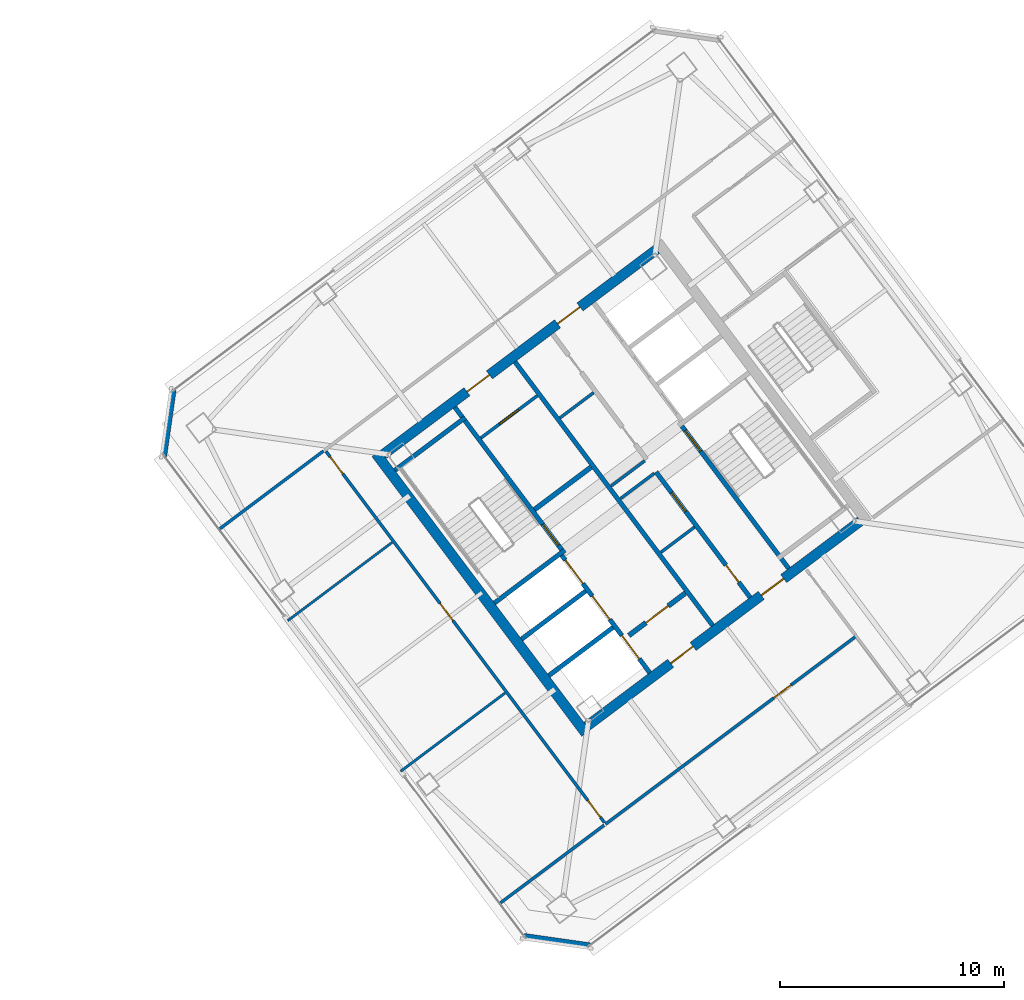
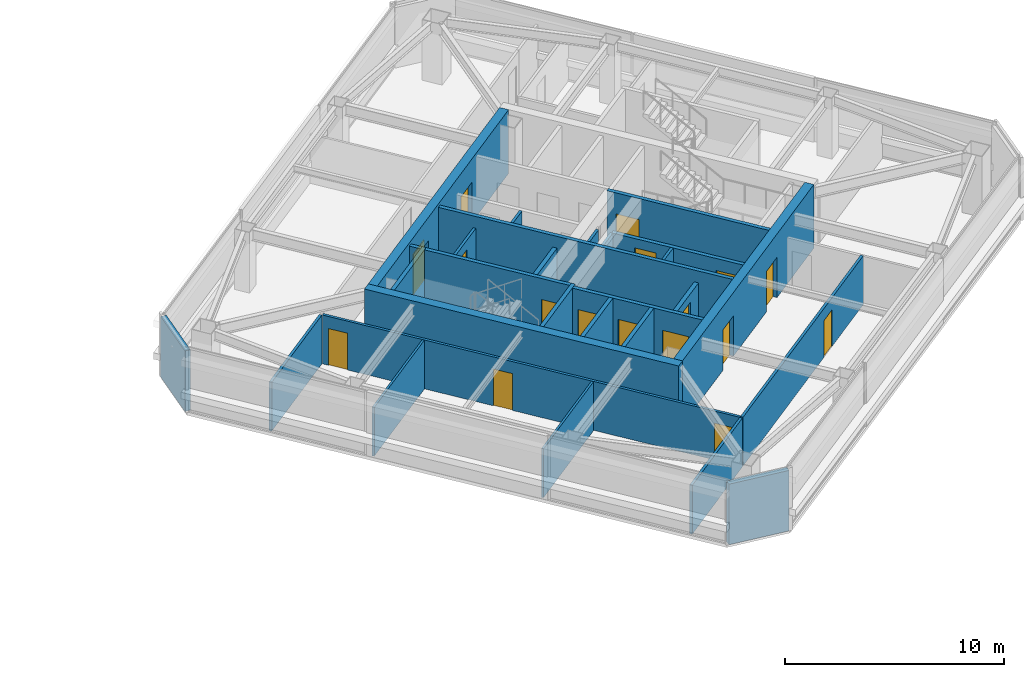
# One storey, part 31 of 39: 27 walls, 17 doors, 17 openings.
"""IFC4 building model written with IfcOpenShell, lengths in metres."""

import ifcopenshell
import ifcopenshell.guid

model = None  # the IFC model being written
_history = None  # IfcOwnerHistory: only IFC2X3 demands one
_inside = {}  # id of a spatial element -> (the spatial element, [elements in it])
_under = {}  # id of a project, library or spatial element -> (it, [spatial elements below it])
_declared = {}  # id of a project -> (the project, [libraries it declares])
_typed = {}  # id of a type object -> (the type object, [elements of that type])
_made_of = {}  # id of a material, layer set ... -> (it, [elements and type objects made of it])


def new_model(schema):
    """Start an empty IFC model of exactly this schema.

    Asked for "IFC4X3", IfcOpenShell would pick the latest addendum, in which some entities
    have other attributes; the version numbers below select the first issue.
    IFC2X3 requires an IfcOwnerHistory on every rooted entity: one is made here for all.
    """
    global model, _history
    if schema == "IFC4X3":
        model = ifcopenshell.file(schema_version=(4, 3, 0, 0))
    else:
        model = ifcopenshell.file(schema=schema)
    _inside.clear()
    _under.clear()
    _declared.clear()
    _typed.clear()
    _made_of.clear()
    _history = None
    if model.schema == "IFC2X3":
        org = make("IfcOrganization", Name="unknown")
        user = make(
            "IfcPersonAndOrganization",
            ThePerson=make("IfcPerson", FamilyName="unknown"),
            TheOrganization=org,
        )
        app = make(
            "IfcApplication",
            ApplicationDeveloper=org,
            Version="unknown",
            ApplicationFullName="unknown",
            ApplicationIdentifier="unknown",
        )
        _history = make(
            "IfcOwnerHistory",
            OwningUser=user,
            OwningApplication=app,
            ChangeAction="ADDED",
            CreationDate=0,
        )
    return model


def make(cls, **values):
    """One entity of the class cls with the attributes given. An attribute that is None is left unset."""
    return model.create_entity(
        cls, **{name: value for name, value in values.items() if value is not None}
    )


def rooted(cls, **values):
    """An entity with a GlobalId (a new one), such as an element, a storey or a relation."""
    return make(cls, GlobalId=ifcopenshell.guid.new(), OwnerHistory=_history, **values)


def si_unit(unit_type, name, prefix=None):
    """IfcSIUnit, for example si_unit("LENGTHUNIT", "METRE", prefix="MILLI")."""
    return make("IfcSIUnit", UnitType=unit_type, Prefix=prefix, Name=name)


def assignment(units):
    """IfcUnitAssignment: the units of a project."""
    return None if units is None else make("IfcUnitAssignment", Units=units)


def point(xyz):
    """IfcCartesianPoint."""
    return None if xyz is None else make("IfcCartesianPoint", Coordinates=xyz)


def direction(xyz):
    """IfcDirection."""
    return None if xyz is None else make("IfcDirection", DirectionRatios=xyz)


def frame(location, z_axis=None, x_axis=None):
    """IfcAxis2Placement3D, a coordinate frame: its origin and axes. An axis left out is left unset."""
    return make(
        "IfcAxis2Placement3D",
        Location=point(location),
        Axis=direction(z_axis),
        RefDirection=direction(x_axis),
    )


def frame_2d(location, x_axis=None):
    """IfcAxis2Placement2D, a coordinate frame in the plane: its origin and x axis."""
    return make(
        "IfcAxis2Placement2D", Location=point(location), RefDirection=direction(x_axis)
    )


def origin():
    """The frame at (0, 0, 0) with its axes left unset."""
    return frame((0.0, 0.0, 0.0))


def place(relative_to, where):
    """IfcLocalPlacement: puts the frame where relative to a parent placement (None: the world)."""
    return make(
        "IfcLocalPlacement", PlacementRelTo=relative_to, RelativePlacement=where
    )


def context(
    kind, dimensions, precision=None, world=None, true_north=None, identifier=None
):
    """IfcGeometricRepresentationContext, for example the 3D "Model" context."""
    return make(
        "IfcGeometricRepresentationContext",
        ContextIdentifier=identifier,
        ContextType=kind,
        CoordinateSpaceDimension=dimensions,
        Precision=precision,
        WorldCoordinateSystem=world,
        TrueNorth=true_north,
    )


def subcontext(parent, identifier, kind, view, scale=None):
    """IfcGeometricRepresentationSubContext, for example "Body" below "Model"."""
    return make(
        "IfcGeometricRepresentationSubContext",
        ContextIdentifier=identifier,
        ContextType=kind,
        ParentContext=parent,
        TargetScale=scale,
        TargetView=view,
    )


def project(units=None, contexts=None):
    """IfcProject with its units and contexts."""
    return rooted(
        "IfcProject",
        Name="project",
        RepresentationContexts=contexts,
        UnitsInContext=assignment(units),
    )


def spatial(cls, under=None, at=None, **own):
    """A site, building, storey or space (cls), placed at a placement, below another one or the project."""
    s = rooted(cls, ObjectPlacement=at, **own)
    if under is not None:
        _under.setdefault(under.id(), (under, []))[1].append(s)
    return s


def profile(cls, at=None, kind="AREA", **sizes):
    """A parametric profile (cls). Its sizes go by their IFC names, for example OverallWidth=200.0."""
    return make(cls, ProfileType=kind, Position=at, **sizes)


def rectangle(**sizes):
    """IfcRectangleProfileDef."""
    return profile("IfcRectangleProfileDef", **sizes)


def extrude(swept, where, along, depth):
    """IfcExtrudedAreaSolid: the profile swept, set in the frame where, extruded along a direction by depth."""
    return make(
        "IfcExtrudedAreaSolid",
        SweptArea=swept,
        Position=where,
        ExtrudedDirection=direction(along),
        Depth=depth,
    )


def shape(context_of_items, identifier, shape_type, items):
    """IfcShapeRepresentation: the items that make up one representation, for example the "Body"."""
    return make(
        "IfcShapeRepresentation",
        ContextOfItems=context_of_items,
        RepresentationIdentifier=identifier,
        RepresentationType=shape_type,
        Items=items,
    )


def material(Name=None, Category=None):
    """IfcMaterial."""
    return make("IfcMaterial", Name=Name, Category=Category)


def layer(
    of_material, thickness, ventilated=None, Name=None, Category=None, Priority=None
):
    """IfcMaterialLayer: one layer of a wall or slab, of a material (None: an air gap)."""
    return make(
        "IfcMaterialLayer",
        Material=of_material,
        LayerThickness=thickness,
        IsVentilated=ventilated,
        Name=Name,
        Category=Category,
        Priority=Priority,
    )


def layer_set(layers, Name=None):
    """IfcMaterialLayerSet."""
    return make("IfcMaterialLayerSet", MaterialLayers=layers, LayerSetName=Name)


def made_of(thing, what):
    """Note that an element or type object is made of a material, layer set ...; save() writes the relation."""
    if what is not None:
        _made_of.setdefault(what.id(), (what, []))[1].append(thing)
    return thing


def type_object(cls, material=None, **own):
    """A type object (cls), such as IfcWallType, which elements share."""
    return made_of(rooted(cls, **own), material)


def element(
    cls,
    number,
    at=None,
    inside=None,
    cuts=None,
    type_object=None,
    material=None,
    context=None,
    identifier="Body",
    shape_type=None,
    held_by="IfcProductDefinitionShape",
    body=None,
    shapes=None,
    **own,
):
    """One element of the class cls, such as IfcWall. Its Tag is "e" and its number.

    at: its placement. inside: the storey or other place that contains it. cuts: it is an
    opening in that element (IfcRelVoidsElement). A single representation is given by context,
    identifier, shape_type and body (its items); several are given by shapes. held_by: the class
    of the entity that holds the representations. save() writes the other relations.
    """
    e = rooted(cls, Tag="e%d" % number, ObjectPlacement=at, **own)
    if body is not None:
        shapes = [shape(context, identifier, shape_type, body)]
    if shapes is not None:
        e.Representation = make(held_by, Representations=shapes)
    if inside is not None:
        _inside.setdefault(inside.id(), (inside, []))[1].append(e)
    if cuts is not None:
        rooted(
            "IfcRelVoidsElement", RelatingBuildingElement=cuts, RelatedOpeningElement=e
        )
    if type_object is not None:
        _typed.setdefault(type_object.id(), (type_object, []))[1].append(e)
    return made_of(e, material)


def fill(opening, filler):
    """IfcRelFillsElement: the door or window that sits in an opening."""
    return rooted(
        "IfcRelFillsElement",
        RelatingOpeningElement=opening,
        RelatedBuildingElement=filler,
    )


def aggregate(whole, parts):
    """IfcRelAggregates: a whole, such as a stair, and the parts it consists of."""
    return rooted("IfcRelAggregates", RelatingObject=whole, RelatedObjects=parts)


def save(model, path):
    """Write the relations noted so far, then the file.

    IfcRelAggregates (storeys below a building ...), IfcRelContainedInSpatialStructure (elements
    in a storey), IfcRelDefinesByType, IfcRelAssociatesMaterial and IfcRelDeclares: one each for
    every whole, place, type object, material and project.
    """
    for whole, parts in _under.values():
        aggregate(whole, parts)
    for where, things in _inside.values():
        rooted(
            "IfcRelContainedInSpatialStructure",
            RelatedElements=things,
            RelatingStructure=where,
        )
    for kind, things in _typed.values():
        rooted("IfcRelDefinesByType", RelatedObjects=things, RelatingType=kind)
    for what, things in _made_of.values():
        rooted("IfcRelAssociatesMaterial", RelatedObjects=things, RelatingMaterial=what)
    for by, libraries in _declared.values():
        rooted("IfcRelDeclares", RelatingContext=by, RelatedDefinitions=libraries)
    model.write(path)


model = new_model("IFC4")

# Units and contexts
model_context = context("Model", 3, precision=1e-05, world=origin(), true_north=direction((0.0, 1.0)))
body_context = subcontext(model_context, "Body", "Model", "MODEL_VIEW")
ifc_project = project(units=[si_unit("LENGTHUNIT", "METRE"), si_unit("AREAUNIT", "SQUARE_METRE"), si_unit("VOLUMEUNIT", "CUBIC_METRE"), si_unit("PLANEANGLEUNIT", "RADIAN"), si_unit("MASSUNIT", "GRAM", prefix="KILO")], contexts=[model_context])

# Site, building, storey
site_placement = place(None, origin())
site = spatial("IfcSite", under=ifc_project, at=site_placement, CompositionType="ELEMENT")
building_placement = place(site_placement, origin())
building = spatial("IfcBuilding", under=site, at=building_placement, Name="Tashvorn Skyway Center", CompositionType="ELEMENT")
storey_placement = place(building_placement, frame((0.0, 0.0, 207.75)))
storey = spatial("IfcBuildingStorey", under=building, at=storey_placement, Name="L56", CompositionType="ELEMENT", Elevation=207.75)

# Wall
ifc_material_1 = material(Name="Concrete C50/60", Category="concrete")
ifc_layer_1 = layer(ifc_material_1, 0.449951171875)
ifc_layer_set_1 = layer_set([ifc_layer_1], Name="Concrete C50/60")
wall_type_1 = type_object("IfcWallType", Name="WALL-CORE-450", PredefinedType="SHEAR", material=ifc_layer_set_1)
wall_1_placement = place(storey_placement, frame((112.39599609375, 21.047119140625, 0.0), z_axis=(0.0, 0.0, 1.0), x_axis=(-0.600005007985, 0.799996243986, 0.0)))
element("IfcWall", 1, at=wall_1_placement, inside=storey, type_object=wall_type_1, Name="Tower 2 L56 West Core Shear Wall", PredefinedType="SHEAR", context=body_context, shape_type="SweptSolid", body=[
    extrude(rectangle(XDim=15.60009765625, YDim=0.449951171875, at=frame_2d((7.800048828125, 0.0))), origin(), (0.0, 0.0, 1.0), 3.550048828125),
])

# Wall, openings, doors
wall_2_placement = place(storey_placement, frame((124.64892578125, 30.51806640625, 0.0), z_axis=(0.0, 0.0, 1.0), x_axis=(-0.8, -0.6, 0.0)))
wall_2 = element("IfcWall", 2, at=wall_2_placement, inside=storey, type_object=wall_type_1, Name="Tower 2 L56 South Core Shear Wall", PredefinedType="SHEAR", context=body_context, shape_type="SweptSolid", body=[
    extrude(rectangle(XDim=15.260009765625, YDim=0.449951171875, at=frame_2d((7.6298828125, 0.0))), origin(), (0.0, 0.0, 1.0), 3.550048828125),
])
opening_1_placement = place(wall_2_placement, frame((9.330078125, 0.0, 0.0)))
opening_1 = element("IfcOpeningElement", 3, at=opening_1_placement, cuts=wall_2, Name="Opening D-FFL-1250", PredefinedType="OPENING", context=body_context, shape_type="SweptSolid", body=[
    extrude(rectangle(XDim=1.25, YDim=2.25, at=frame_2d((0.625, 1.125))), frame((0.0, 0.23486328125, 0.0), z_axis=(0.0, -1.0, 0.0), x_axis=(1.0, 0.0, 0.0)), (0.0, 0.0, 1.0), 0.469970703125),
])
opening_2_placement = place(wall_2_placement, frame((4.280029296875, 0.0, 0.0)))
opening_2 = element("IfcOpeningElement", 4, at=opening_2_placement, cuts=wall_2, Name="Opening D-FFL-1250", PredefinedType="OPENING", context=body_context, shape_type="SweptSolid", body=[
    extrude(rectangle(XDim=1.25, YDim=2.25, at=frame_2d((0.625, 1.125))), frame((0.0, 0.23486328125, 0.0), z_axis=(0.0, -1.0, 0.0), x_axis=(1.0, 0.0, 0.0)), (0.0, 0.0, 1.0), 0.469970703125),
])
ifc_material_2 = material(Name="Hollow galvanized steel fire door assembly", Category="steel")
door_type_1 = type_object("IfcDoorType", Name="DOOR-FFL-1250", OperationType="NOTDEFINED", PredefinedType="DOOR", material=ifc_material_2)
door_1_placement = place(opening_1_placement, origin())
door_1 = element("IfcDoor", 5, at=door_1_placement, inside=storey, type_object=door_type_1, Name="Tower 2 L56 Core South Firefighting Exit Door", OperationType="SINGLE_SWING_LEFT", OverallHeight=2.25, OverallWidth=1.25, PredefinedType="DOOR", context=body_context, shape_type="SweptSolid", body=[
    extrude(rectangle(XDim=1.25, YDim=2.25, at=frame_2d((0.625, 1.125))), frame((0.0, 0.02490234375, 0.0), z_axis=(0.0, -1.0, 0.0), x_axis=(1.0, 0.0, 0.0)), (0.0, 0.0, 1.0), 0.050048828125),
])
fill(opening_1, door_1)
door_2_placement = place(opening_2_placement, origin())
door_2 = element("IfcDoor", 6, at=door_2_placement, inside=storey, type_object=door_type_1, Name="Tower 2 L56 Core South Lift Lobby Door", OperationType="SINGLE_SWING_RIGHT", OverallHeight=2.25, OverallWidth=1.25, PredefinedType="DOOR", context=body_context, shape_type="SweptSolid", body=[
    extrude(rectangle(XDim=1.25, YDim=2.25, at=frame_2d((0.625, 1.125))), frame((0.0, 0.02490234375, 0.0), z_axis=(0.0, -1.0, 0.0), x_axis=(1.0, 0.0, 0.0)), (0.0, 0.0, 1.0), 0.050048828125),
])
fill(opening_2, door_2)

wall_3_placement = place(storey_placement, frame((103.35107421875, 33.48193359375, 0.0), z_axis=(0.0, 0.0, 1.0), x_axis=(0.8, 0.6, 0.0)))
wall_3 = element("IfcWall", 7, at=wall_3_placement, inside=storey, type_object=wall_type_1, Name="Tower 2 L56 North Core Shear Wall", PredefinedType="SHEAR", context=body_context, shape_type="SweptSolid", body=[
    extrude(rectangle(XDim=15.260009765625, YDim=0.449951171875, at=frame_2d((7.6298828125, 0.0))), origin(), (0.0, 0.0, 1.0), 3.550048828125),
])
opening_3_placement = place(wall_3_placement, frame((4.679931640625, 0.0, 0.0)))
opening_3 = element("IfcOpeningElement", 8, at=opening_3_placement, cuts=wall_3, Name="Opening D-FFL-1250", PredefinedType="OPENING", context=body_context, shape_type="SweptSolid", body=[
    extrude(rectangle(XDim=1.25, YDim=2.25, at=frame_2d((0.625, 1.125))), frame((0.0, 0.23486328125, 0.0), z_axis=(0.0, -1.0, 0.0), x_axis=(1.0, 0.0, 0.0)), (0.0, 0.0, 1.0), 0.469970703125),
])
opening_4_placement = place(wall_3_placement, frame((9.72998046875, 0.0, 0.0)))
opening_4 = element("IfcOpeningElement", 9, at=opening_4_placement, cuts=wall_3, Name="Opening D-FFL-1250", PredefinedType="OPENING", context=body_context, shape_type="SweptSolid", body=[
    extrude(rectangle(XDim=1.25, YDim=2.25, at=frame_2d((0.625, 1.125))), frame((0.0, 0.23486328125, 0.0), z_axis=(0.0, -1.0, 0.0), x_axis=(1.0, 0.0, 0.0)), (0.0, 0.0, 1.0), 0.469970703125),
])
door_3_placement = place(opening_3_placement, origin())
door_3 = element("IfcDoor", 10, at=door_3_placement, inside=storey, type_object=door_type_1, Name="Tower 2 L56 Core North Service Lobby Door", OperationType="SINGLE_SWING_LEFT", OverallHeight=2.25, OverallWidth=1.25, PredefinedType="DOOR", context=body_context, shape_type="SweptSolid", body=[
    extrude(rectangle(XDim=1.25, YDim=2.25, at=frame_2d((0.625, 1.125))), frame((0.0, 0.02490234375, 0.0), z_axis=(0.0, -1.0, 0.0), x_axis=(1.0, 0.0, 0.0)), (0.0, 0.0, 1.0), 0.050048828125),
])
fill(opening_3, door_3)
door_4_placement = place(opening_4_placement, origin())
door_4 = element("IfcDoor", 11, at=door_4_placement, inside=storey, type_object=door_type_1, Name="Tower 2 L56 Core North Lift Lobby Door", OperationType="SINGLE_SWING_RIGHT", OverallHeight=2.25, OverallWidth=1.25, PredefinedType="DOOR", context=body_context, shape_type="SweptSolid", body=[
    extrude(rectangle(XDim=1.25, YDim=2.25, at=frame_2d((0.625, 1.125))), frame((0.0, 0.02490234375, 0.0), z_axis=(0.0, -1.0, 0.0), x_axis=(1.0, 0.0, 0.0)), (0.0, 0.0, 1.0), 0.050048828125),
])
fill(opening_4, door_4)

# Walls
ifc_material_3 = material(Name="Precast concrete C40/50", Category="concrete")
ifc_layer_2 = layer(ifc_material_3, 0.280029296875)
ifc_layer_set_2 = layer_set([ifc_layer_2], Name="Precast concrete C40/50")
wall_type_2 = type_object("IfcWallType", Name="WALL-EXT-280", PredefinedType="SOLIDWALL", material=ifc_layer_set_2)
for number, where, z_axis, x_axis, name in (
    (12, (112.580078125, 11.56005859375, 0.0), (0.0, 0.0, 1.0), (-0.989954425158, 0.14138683146, 0.0), "Tower 2 L56 SW Precast Chamfer Wall"),
    (13, (93.56005859375, 33.419921875, 0.0), (0.0, 0.0, 1.0), (0.14138683146, 0.989954425158, 0.0), "Tower 2 L56 NW Precast Chamfer Wall"),
):
    element("IfcWall", number, at=place(storey_placement, frame(where, z_axis=z_axis, x_axis=x_axis)), inside=storey, type_object=wall_type_2, Name=name, PredefinedType="SOLIDWALL", context=body_context, shape_type="SweptSolid", body=[
        extrude(rectangle(XDim=2.969970703125, YDim=0.280029296875, at=frame_2d((1.48486328125, 0.0))), origin(), (0.0, 0.0, 1.0), 3.3701171875),
    ])
ifc_material_4 = material(Name="Concrete C40/50", Category="concrete")
ifc_layer_3 = layer(ifc_material_4, 0.219970703125)
ifc_layer_set_3 = layer_set([ifc_layer_3], Name="Concrete C40/50")
wall_type_3 = type_object("IfcWallType", Name="WALL-FFL-220", PredefinedType="SOLIDWALL", material=ifc_layer_set_3)
wall_4_placement = place(storey_placement, frame((110.10400390625, 31.028076171875, 0.0), z_axis=(0.0, 0.0, 1.0), x_axis=(0.800018601094, 0.59997519774, 0.0)))
element("IfcWall", 14, at=wall_4_placement, inside=storey, type_object=wall_type_3, Name="Tower 2 L56 Firefighting Lobby North Wall", PredefinedType="SOLIDWALL", context=body_context, shape_type="SweptSolid", body=[
    extrude(rectangle(XDim=3.14990234375, YDim=0.219970703125, at=frame_2d((1.574951171875, 0.0))), origin(), (0.0, 0.0, 1.0), 2.722900390625),
])

# Wall, opening, door
wall_5_placement = place(storey_placement, frame((114.31591796875, 25.412109375, 0.0), z_axis=(0.0, 0.0, 1.0), x_axis=(0.800018601094, 0.59997519774, 0.0)))
wall_5 = element("IfcWall", 15, at=wall_5_placement, inside=storey, type_object=wall_type_3, Name="Tower 2 L56 Firefighting Lobby South Wall", PredefinedType="SOLIDWALL", context=body_context, shape_type="SweptSolid", body=[
    extrude(rectangle(XDim=3.14990234375, YDim=0.219970703125, at=frame_2d((1.574951171875, 0.0))), origin(), (0.0, 0.0, 1.0), 2.722900390625),
])
opening_5_placement = place(wall_5_placement, frame((0.949951171875, 0.0, 0.0)))
opening_5 = element("IfcOpeningElement", 16, at=opening_5_placement, cuts=wall_5, Name="Opening D-FFL-1250", PredefinedType="OPENING", context=body_context, shape_type="SweptSolid", body=[
    extrude(rectangle(XDim=1.25, YDim=2.25, at=frame_2d((0.625, 1.125))), frame((0.0, 0.119873046875, 0.0), z_axis=(0.0, -1.0, 0.0), x_axis=(1.0, 0.0, 0.0)), (0.0, 0.0, 1.0), 0.239990234375),
])
door_5_placement = place(opening_5_placement, origin())
door_5 = element("IfcDoor", 17, at=door_5_placement, inside=storey, type_object=door_type_1, Name="Tower 2 L56 Firefighting Lobby Egress Door", OperationType="SINGLE_SWING_LEFT", OverallHeight=2.25, OverallWidth=1.25, PredefinedType="DOOR", context=body_context, shape_type="SweptSolid", body=[
    extrude(rectangle(XDim=1.25, YDim=2.25, at=frame_2d((0.625, 1.125))), frame((0.0, 0.02490234375, 0.0), z_axis=(0.0, -1.0, 0.0), x_axis=(1.0, 0.0, 0.0)), (0.0, 0.0, 1.0), 0.050048828125),
])
fill(opening_5, door_5)

# Walls
ifc_material_5 = material(Name="Gypsum board on cold-formed steel stud framing", Category="steel")
ifc_layer_4 = layer(ifc_material_5, 0.110107421875)
ifc_layer_set_4 = layer_set([ifc_layer_4], Name="Gypsum board on cold-formed steel stud framing")
wall_type_4 = type_object("IfcWallType", Name="WALL-PART-110", PredefinedType="PARTITIONING", material=ifc_layer_set_4)
for number, where, z_axis, x_axis, name in (
    (18, (104.135986328125, 19.35205078125, 0.0), (0.0, 0.0, 1.0), (0.800005033825, 0.599993288175, 0.0), "Tower 2 L56 West Suite Partition 1"),
    (19, (99.095947265625, 26.072021484375, 0.0), (0.0, 0.0, 1.0), (0.800005033825, 0.599993288175, 0.0), "Tower 2 L56 West Suite Partition 2"),
):
    element("IfcWall", number, at=place(storey_placement, frame(where, z_axis=z_axis, x_axis=x_axis)), inside=storey, type_object=wall_type_4, Name=name, PredefinedType="PARTITIONING", context=body_context, shape_type="SweptSolid", body=[
        extrude(rectangle(XDim=5.820068359375, YDim=0.110107421875, at=frame_2d((2.91015625, 0.0))), origin(), (0.0, 0.0, 1.0), 2.722900390625),
    ])

# Wall, opening, door
ifc_layer_5 = layer(ifc_material_5, 0.135009765625)
ifc_layer_set_5 = layer_set([ifc_layer_5], Name="Gypsum board on cold-formed steel stud framing")
wall_type_5 = type_object("IfcWallType", Name="WALL-PART-135", PredefinedType="PARTITIONING", material=ifc_layer_set_5)
wall_6_placement = place(storey_placement, frame((124.4619140625, 25.384033203125, 0.0), z_axis=(0.0, 0.0, 1.0), x_axis=(-0.799997904343, -0.6000027942, 0.0)))
wall_6 = element("IfcWall", 20, at=wall_6_placement, inside=storey, type_object=wall_type_5, Name="Tower 2 L56 South Suite Wall", PredefinedType="PARTITIONING", context=body_context, shape_type="SweptSolid", body=[
    extrude(rectangle(XDim=13.979736328125, YDim=0.135009765625, at=frame_2d((6.98974609375, 0.0))), origin(), (0.0, 0.0, 1.0), 2.722900390625),
])
opening_6_placement = place(wall_6_placement, frame((3.63525390625, 0.0, 0.0)))
opening_6 = element("IfcOpeningElement", 21, at=opening_6_placement, cuts=wall_6, Name="Opening D-INT-950", PredefinedType="OPENING", context=body_context, shape_type="SweptSolid", body=[
    extrude(rectangle(XDim=0.949951171875, YDim=2.050048828125, at=frame_2d((0.47509765625, 1.02490234375))), frame((0.0, 0.077392578125, 0.0), z_axis=(0.0, -1.0, 0.0), x_axis=(1.0, 0.0, 0.0)), (0.0, 0.0, 1.0), 0.155029296875),
])
ifc_material_6 = material(Name="Solid-core architectural oak veneer door")
door_type_2 = type_object("IfcDoorType", Name="DOOR-INT-950", OperationType="NOTDEFINED", PredefinedType="DOOR", material=ifc_material_6)
door_6_placement = place(opening_6_placement, origin())
door_6 = element("IfcDoor", 22, at=door_6_placement, inside=storey, type_object=door_type_2, Name="Tower 2 L56 Wellness Clinic Door", OperationType="SINGLE_SWING_RIGHT", OverallHeight=2.050048828125, OverallWidth=0.949951171875, PredefinedType="DOOR", context=body_context, shape_type="SweptSolid", body=[
    extrude(rectangle(XDim=0.949951171875, YDim=2.050048828125, at=frame_2d((0.47509765625, 1.02490234375))), frame((0.0, 0.02490234375, 0.0), z_axis=(0.0, -1.0, 0.0), x_axis=(1.0, 0.0, 0.0)), (0.0, 0.0, 1.0), 0.050048828125),
])
fill(opening_6, door_6)

# Wall, openings, doors
wall_7_placement = place(storey_placement, frame((113.22998046875, 17.06005859375, 0.0), z_axis=(0.0, 0.0, 1.0), x_axis=(-0.600003772342, 0.79999717073, 0.0)))
wall_7 = element("IfcWall", 23, at=wall_7_placement, inside=storey, type_object=wall_type_5, Name="Tower 2 L56 West Inner Suite Wall", PredefinedType="PARTITIONING", context=body_context, shape_type="SweptSolid", body=[
    extrude(rectangle(XDim=20.7099609375, YDim=0.135009765625, at=frame_2d((10.35498046875, 0.0))), origin(), (0.0, 0.0, 1.0), 2.722900390625),
])
opening_7_placement = place(wall_7_placement, frame((0.300048828125, 0.0, 0.0)))
opening_7 = element("IfcOpeningElement", 24, at=opening_7_placement, cuts=wall_7, Name="Opening D-INT-950", PredefinedType="OPENING", context=body_context, shape_type="SweptSolid", body=[
    extrude(rectangle(XDim=0.949951171875, YDim=2.050048828125, at=frame_2d((0.47509765625, 1.02490234375))), frame((0.0, 0.077392578125, 0.0), z_axis=(0.0, -1.0, 0.0), x_axis=(1.0, 0.0, 0.0)), (0.0, 0.0, 1.0), 0.155029296875),
])
opening_8_placement = place(wall_7_placement, frame((11.272216796875, 0.0, 0.0)))
opening_8 = element("IfcOpeningElement", 25, at=opening_8_placement, cuts=wall_7, Name="Opening D-INT-950", PredefinedType="OPENING", context=body_context, shape_type="SweptSolid", body=[
    extrude(rectangle(XDim=0.949951171875, YDim=2.050048828125, at=frame_2d((0.47509765625, 1.02490234375))), frame((0.0, 0.077392578125, 0.0), z_axis=(0.0, -1.0, 0.0), x_axis=(1.0, 0.0, 0.0)), (0.0, 0.0, 1.0), 0.155029296875),
])
opening_9_placement = place(wall_7_placement, frame((19.4599609375, 0.0, 0.0)))
opening_9 = element("IfcOpeningElement", 26, at=opening_9_placement, cuts=wall_7, Name="Opening D-INT-950", PredefinedType="OPENING", context=body_context, shape_type="SweptSolid", body=[
    extrude(rectangle(XDim=0.949951171875, YDim=2.050048828125, at=frame_2d((0.47509765625, 1.02490234375))), frame((0.0, 0.077392578125, 0.0), z_axis=(0.0, -1.0, 0.0), x_axis=(1.0, 0.0, 0.0)), (0.0, 0.0, 1.0), 0.155029296875),
])
door_7_placement = place(opening_7_placement, origin())
door_7 = element("IfcDoor", 27, at=door_7_placement, inside=storey, type_object=door_type_2, Name="Tower 2 L56 Public Restroom Door", OperationType="SINGLE_SWING_RIGHT", OverallHeight=2.050048828125, OverallWidth=0.949951171875, PredefinedType="DOOR", context=body_context, shape_type="SweptSolid", body=[
    extrude(rectangle(XDim=0.949951171875, YDim=2.050048828125, at=frame_2d((0.47509765625, 1.02490234375))), frame((0.0, 0.02490234375, 0.0), z_axis=(0.0, -1.0, 0.0), x_axis=(1.0, 0.0, 0.0)), (0.0, 0.0, 1.0), 0.050048828125),
])
fill(opening_7, door_7)
door_8_placement = place(opening_8_placement, origin())
door_8 = element("IfcDoor", 28, at=door_8_placement, inside=storey, type_object=door_type_2, Name="Tower 2 L56 Wellness Clinic Door", OperationType="SINGLE_SWING_LEFT", OverallHeight=2.050048828125, OverallWidth=0.949951171875, PredefinedType="DOOR", context=body_context, shape_type="SweptSolid", body=[
    extrude(rectangle(XDim=0.949951171875, YDim=2.050048828125, at=frame_2d((0.47509765625, 1.02490234375))), frame((0.0, 0.02490234375, 0.0), z_axis=(0.0, -1.0, 0.0), x_axis=(1.0, 0.0, 0.0)), (0.0, 0.0, 1.0), 0.050048828125),
])
fill(opening_8, door_8)
door_9_placement = place(opening_9_placement, origin())
door_9 = element("IfcDoor", 29, at=door_9_placement, inside=storey, type_object=door_type_2, Name="Tower 2 L56 Collaborative Studio Door", OperationType="SINGLE_SWING_RIGHT", OverallHeight=2.050048828125, OverallWidth=0.949951171875, PredefinedType="DOOR", context=body_context, shape_type="SweptSolid", body=[
    extrude(rectangle(XDim=0.949951171875, YDim=2.050048828125, at=frame_2d((0.47509765625, 1.02490234375))), frame((0.0, 0.02490234375, 0.0), z_axis=(0.0, -1.0, 0.0), x_axis=(1.0, 0.0, 0.0)), (0.0, 0.0, 1.0), 0.050048828125),
])
fill(opening_9, door_9)

# Walls
for number, where, z_axis, x_axis, name in (
    (30, (100.69189453125, 33.64404296875, 0.0), (0.0, 0.0, 1.0), (-0.800005033825, -0.599993288175, 0.0), "Tower 2 L56 West Suite North Wall"),
    (31, (108.55810546875, 13.4560546875, 0.0), (0.0, 0.0, 1.0), (0.800005033825, 0.599993288175, 0.0), "Tower 2 L56 West Suite South Wall"),
):
    element("IfcWall", number, at=place(storey_placement, frame(where, z_axis=z_axis, x_axis=x_axis)), inside=storey, type_object=wall_type_5, Name=name, PredefinedType="PARTITIONING", context=body_context, shape_type="SweptSolid", body=[
        extrude(rectangle(XDim=5.820068359375, YDim=0.135009765625, at=frame_2d((2.91015625, 0.0))), origin(), (0.0, 0.0, 1.0), 2.722900390625),
    ])

# Wall, opening, door
ifc_layer_6 = layer(ifc_material_5, 0.135009765625)
ifc_layer_set_6 = layer_set([ifc_layer_6], Name="Gypsum board on cold-formed steel stud framing")
wall_type_6 = type_object("IfcWallType", Name="WALL-RATED-135", PredefinedType="PARTITIONING", material=ifc_layer_set_6)
wall_8_placement = place(storey_placement, frame((107.7099609375, 34.219970703125, 0.0), z_axis=(0.0, 0.0, 1.0), x_axis=(0.799981399002, 0.60002480053, 0.0)))
wall_8 = element("IfcWall", 32, at=wall_8_placement, inside=storey, type_object=wall_type_6, Name="Tower 2 L56 Core Service Lobby Wall", PredefinedType="PARTITIONING", context=body_context, shape_type="SweptSolid", body=[
    extrude(rectangle(XDim=3.150146484375, YDim=0.135009765625, at=frame_2d((1.5751953125, 0.0))), origin(), (0.0, 0.0, 1.0), 2.722900390625),
])
opening_10_placement = place(wall_8_placement, frame((1.050048828125, 0.0, 0.0)))
opening_10 = element("IfcOpeningElement", 33, at=opening_10_placement, cuts=wall_8, Name="Opening D-RT-1050", PredefinedType="OPENING", context=body_context, shape_type="SweptSolid", body=[
    extrude(rectangle(XDim=1.050048828125, YDim=2.199951171875, at=frame_2d((0.52490234375, 1.10009765625))), frame((0.0, 0.077392578125, 0.0), z_axis=(0.0, -1.0, 0.0), x_axis=(1.0, 0.0, 0.0)), (0.0, 0.0, 1.0), 0.155029296875),
])
door_type_3 = type_object("IfcDoorType", Name="DOOR-RATED-1050", OperationType="NOTDEFINED", PredefinedType="DOOR", material=ifc_material_2)
door_10_placement = place(opening_10_placement, origin())
door_10 = element("IfcDoor", 34, at=door_10_placement, inside=storey, type_object=door_type_3, Name="Tower 2 L56 Core Accessible WC Door", OperationType="SINGLE_SWING_LEFT", OverallHeight=2.199951171875, OverallWidth=1.050048828125, PredefinedType="DOOR", context=body_context, shape_type="SweptSolid", body=[
    extrude(rectangle(XDim=1.050048828125, YDim=2.199951171875, at=frame_2d((0.52490234375, 1.10009765625))), frame((0.0, 0.02490234375, 0.0), z_axis=(0.0, -1.0, 0.0), x_axis=(1.0, 0.0, 0.0)), (0.0, 0.0, 1.0), 0.050048828125),
])
fill(opening_10, door_10)

# Walls
for number, where, z_axis, x_axis, name in (
    (35, (113.946044921875, 31.52197265625, 0.0), (0.0, 0.0, 1.0), (0.8, 0.6, 0.0), "Tower 2 L56 Core Room Partition"),
    (36, (115.74609375, 29.1220703125, 0.0), (0.0, 0.0, 1.0), (0.8, 0.6, 0.0), "Tower 2 L56 Freed Core Partition"),
):
    element("IfcWall", number, at=place(storey_placement, frame(where, z_axis=z_axis, x_axis=x_axis)), inside=storey, type_object=wall_type_6, Name=name, PredefinedType="PARTITIONING", context=body_context, shape_type="SweptSolid", body=[
        extrude(rectangle(XDim=1.8798828125, YDim=0.135009765625, at=frame_2d((0.93994140625, 0.0))), origin(), (0.0, 0.0, 1.0), 2.722900390625),
    ])
wall_9_placement = place(storey_placement, frame((113.52587890625, 32.08203125, 0.0), z_axis=(0.0, 0.0, 1.0), x_axis=(0.800046745961, 0.599937666993, 0.0)))
element("IfcWall", 37, at=wall_9_placement, inside=storey, type_object=wall_type_6, Name="Tower 2 L56 Core Room Partition", PredefinedType="PARTITIONING", context=body_context, shape_type="SweptSolid", body=[
    extrude(rectangle(XDim=1.880126953125, YDim=0.135009765625, at=frame_2d((0.93994140625, 0.0))), origin(), (0.0, 0.0, 1.0), 2.722900390625),
])
wall_10_placement = place(storey_placement, frame((111.24609375, 35.1220703125, 0.0), z_axis=(0.0, 0.0, 1.0), x_axis=(0.8, 0.6, 0.0)))
element("IfcWall", 38, at=wall_10_placement, inside=storey, type_object=wall_type_6, Name="Tower 2 L56 Freed Mid-Rise Partition", PredefinedType="PARTITIONING", context=body_context, shape_type="SweptSolid", body=[
    extrude(rectangle(XDim=1.8798828125, YDim=0.135009765625, at=frame_2d((0.93994140625, 0.0))), origin(), (0.0, 0.0, 1.0), 2.722900390625),
])
ifc_layer_7 = layer(ifc_material_4, 0.199951171875)
ifc_layer_set_7 = layer_set([ifc_layer_7], Name="Concrete C40/50")
wall_type_7 = type_object("IfcWallType", Name="WALL-SHAFT-200", PredefinedType="SOLIDWALL", material=ifc_layer_set_7)
for number, where, z_axis, x_axis, name in (
    (39, (110.74609375, 23.6220703125, 0.0), (0.0, 0.0, 1.0), (0.800008183455, 0.599989088572, 0.0), "Tower 2 L56 FSAE Shaft Divider"),
    (40, (109.528076171875, 25.24609375, 0.0), (0.0, 0.0, 1.0), (0.800008183455, 0.599989088572, 0.0), "Tower 2 L56 FSAE Shaft Divider"),
):
    element("IfcWall", number, at=place(storey_placement, frame(where, z_axis=z_axis, x_axis=x_axis)), inside=storey, type_object=wall_type_7, Name=name, PredefinedType="SOLIDWALL", context=body_context, shape_type="SweptSolid", body=[
        extrude(rectangle(XDim=3.580078125, YDim=0.199951171875, at=frame_2d((1.7900390625, 0.0))), origin(), (0.0, 0.0, 1.0), 3.3701171875),
    ])

# Wall, openings, doors
wall_11_placement = place(storey_placement, frame((119.72998046875, 27.110107421875, 0.0), z_axis=(0.0, 0.0, 1.0), x_axis=(-0.600005580459, 0.799995814625, 0.0)))
wall_11 = element("IfcWall", 41, at=wall_11_placement, inside=storey, type_object=wall_type_7, Name="Tower 2 L56 Low-Rise Core Wall", PredefinedType="SOLIDWALL", context=body_context, shape_type="SweptSolid", body=[
    extrude(rectangle(XDim=6.999755859375, YDim=0.199951171875, at=frame_2d((3.5, 0.0))), origin(), (0.0, 0.0, 1.0), 2.722900390625),
])
opening_11_placement = place(wall_11_placement, frame((0.85009765625, 0.0, 0.0)))
opening_11 = element("IfcOpeningElement", 42, at=opening_11_placement, cuts=wall_11, Name="Opening D-RT-950", PredefinedType="OPENING", context=body_context, shape_type="SweptSolid", body=[
    extrude(rectangle(XDim=0.949951171875, YDim=2.050048828125, at=frame_2d((0.47509765625, 1.02490234375))), frame((0.0, 0.10986328125, 0.0), z_axis=(0.0, -1.0, 0.0), x_axis=(1.0, 0.0, 0.0)), (0.0, 0.0, 1.0), 0.219970703125),
])
opening_12_placement = place(wall_11_placement, frame((4.800048828125, 0.0, 0.0)))
opening_12 = element("IfcOpeningElement", 43, at=opening_12_placement, cuts=wall_11, Name="Opening D-RT-1050", PredefinedType="OPENING", context=body_context, shape_type="SweptSolid", body=[
    extrude(rectangle(XDim=1.050048828125, YDim=2.199951171875, at=frame_2d((0.52490234375, 1.10009765625))), frame((0.0, 0.10986328125, 0.0), z_axis=(0.0, -1.0, 0.0), x_axis=(1.0, 0.0, 0.0)), (0.0, 0.0, 1.0), 0.219970703125),
])
door_11_placement = place(opening_12_placement, origin())
door_11 = element("IfcDoor", 44, at=door_11_placement, inside=storey, type_object=door_type_3, Name="Tower 2 L56 Freed Core Room Door", OperationType="SINGLE_SWING_RIGHT", OverallHeight=2.199951171875, OverallWidth=1.050048828125, PredefinedType="DOOR", context=body_context, shape_type="SweptSolid", body=[
    extrude(rectangle(XDim=1.050048828125, YDim=2.199951171875, at=frame_2d((0.52490234375, 1.10009765625))), frame((0.0, 0.02490234375, 0.0), z_axis=(0.0, -1.0, 0.0), x_axis=(1.0, 0.0, 0.0)), (0.0, 0.0, 1.0), 0.050048828125),
])
fill(opening_12, door_11)
door_type_4 = type_object("IfcDoorType", Name="DOOR-RATED-950", OperationType="NOTDEFINED", PredefinedType="DOOR", material=ifc_material_2)
door_12_placement = place(opening_11_placement, origin())
door_12 = element("IfcDoor", 45, at=door_12_placement, inside=storey, type_object=door_type_4, Name="Tower 2 L56 Core Print Room Door", OperationType="SINGLE_SWING_LEFT", OverallHeight=2.050048828125, OverallWidth=0.949951171875, PredefinedType="DOOR", context=body_context, shape_type="SweptSolid", body=[
    extrude(rectangle(XDim=0.949951171875, YDim=2.050048828125, at=frame_2d((0.47509765625, 1.02490234375))), frame((0.0, 0.02490234375, 0.0), z_axis=(0.0, -1.0, 0.0), x_axis=(1.0, 0.0, 0.0)), (0.0, 0.0, 1.0), 0.050048828125),
])
fill(opening_11, door_12)

# Wall, opening, door
ifc_layer_8 = layer(ifc_material_4, 0.199951171875)
ifc_layer_set_8 = layer_set([ifc_layer_8], Name="Concrete C40/50")
wall_type_8 = type_object("IfcWallType", Name="WALL-STSHF-200", PredefinedType="SHEAR", material=ifc_layer_set_8)
wall_12_placement = place(storey_placement, frame((111.43994140625, 29.080078125, 0.0), z_axis=(0.0, 0.0, 1.0), x_axis=(-0.59999041401, 0.800007189403, 0.0)))
wall_12 = element("IfcWall", 46, at=wall_12_placement, inside=storey, type_object=wall_type_8, Name="Tower 2 L56 Stair 1 Enclosure Wall", PredefinedType="SHEAR", context=body_context, shape_type="SweptSolid", body=[
    extrude(rectangle(XDim=8.14990234375, YDim=0.199951171875, at=frame_2d((4.074951171875, 0.0))), origin(), (0.0, 0.0, 1.0), 3.3701171875),
])
opening_13_placement = place(wall_12_placement, frame((0.449951171875, 0.0, 0.0)))
opening_13 = element("IfcOpeningElement", 47, at=opening_13_placement, cuts=wall_12, Name="Opening D-ST-1150", PredefinedType="OPENING", context=body_context, shape_type="SweptSolid", body=[
    extrude(rectangle(XDim=1.14990234375, YDim=2.199951171875, at=frame_2d((0.574951171875, 1.10009765625))), frame((0.0, 0.10986328125, 0.0), z_axis=(0.0, -1.0, 0.0), x_axis=(1.0, 0.0, 0.0)), (0.0, 0.0, 1.0), 0.219970703125),
])
door_type_5 = type_object("IfcDoorType", Name="DOOR-STAIR-1150", OperationType="NOTDEFINED", PredefinedType="DOOR", material=ifc_material_2)
door_13_placement = place(opening_13_placement, origin())
door_13 = element("IfcDoor", 48, at=door_13_placement, inside=storey, type_object=door_type_5, Name="Tower 2 L56 Exit Stair 1 Door", OperationType="SINGLE_SWING_RIGHT", OverallHeight=2.199951171875, OverallWidth=1.14990234375, PredefinedType="DOOR", context=body_context, shape_type="SweptSolid", body=[
    extrude(rectangle(XDim=1.14990234375, YDim=2.199951171875, at=frame_2d((0.574951171875, 1.10009765625))), frame((0.0, 0.02490234375, 0.0), z_axis=(0.0, -1.0, 0.0), x_axis=(1.0, 0.0, 0.0)), (0.0, 0.0, 1.0), 0.050048828125),
])
fill(opening_13, door_13)

# Walls
for number, where, z_axis, x_axis, name in (
    (49, (108.31591796875, 26.862060546875, 0.0), (0.0, 0.0, 1.0), (0.800014909178, 0.599980120581, 0.0), "Tower 2 L56 Stair 1 South Wall"),
    (50, (103.8759765625, 32.781982421875, 0.0), (0.0, 0.0, 1.0), (0.800014909178, 0.599980120581, 0.0), "Tower 2 L56 Stair 1 North Wall"),
):
    element("IfcWall", number, at=place(storey_placement, frame(where, z_axis=z_axis, x_axis=x_axis)), inside=storey, type_object=wall_type_8, Name=name, PredefinedType="SHEAR", context=body_context, shape_type="SweptSolid", body=[
        extrude(rectangle(XDim=3.929931640625, YDim=0.199951171875, at=frame_2d((1.96484375, 0.0))), origin(), (0.0, 0.0, 1.0), 3.3701171875),
    ])

# Wall, opening, door
wall_13_placement = place(storey_placement, frame((116.56005859375, 34.919921875, 0.0), z_axis=(0.0, 0.0, 1.0), x_axis=(0.59999041401, -0.800007189403, 0.0)))
wall_13 = element("IfcWall", 51, at=wall_13_placement, inside=storey, type_object=wall_type_8, Name="Tower 2 L56 Stair 2 Enclosure Wall", PredefinedType="SHEAR", context=body_context, shape_type="SweptSolid", body=[
    extrude(rectangle(XDim=8.14990234375, YDim=0.199951171875, at=frame_2d((4.074951171875, 0.0))), origin(), (0.0, 0.0, 1.0), 3.3701171875),
])
opening_14_placement = place(wall_13_placement, frame((0.449951171875, 0.0, 0.0)))
opening_14 = element("IfcOpeningElement", 52, at=opening_14_placement, cuts=wall_13, Name="Opening D-ST-1150", PredefinedType="OPENING", context=body_context, shape_type="SweptSolid", body=[
    extrude(rectangle(XDim=1.14990234375, YDim=2.199951171875, at=frame_2d((0.574951171875, 1.10009765625))), frame((0.0, 0.10986328125, 0.0), z_axis=(0.0, -1.0, 0.0), x_axis=(1.0, 0.0, 0.0)), (0.0, 0.0, 1.0), 0.219970703125),
])
door_14_placement = place(opening_14_placement, origin())
door_14 = element("IfcDoor", 53, at=door_14_placement, inside=storey, type_object=door_type_5, Name="Tower 2 L56 Exit Stair 2 Door", OperationType="SINGLE_SWING_RIGHT", OverallHeight=2.199951171875, OverallWidth=1.14990234375, PredefinedType="DOOR", context=body_context, shape_type="SweptSolid", body=[
    extrude(rectangle(XDim=1.14990234375, YDim=2.199951171875, at=frame_2d((0.574951171875, 1.10009765625))), frame((0.0, 0.02490234375, 0.0), z_axis=(0.0, -1.0, 0.0), x_axis=(1.0, 0.0, 0.0)), (0.0, 0.0, 1.0), 0.050048828125),
])
fill(opening_14, door_14)

# Wall
wall_14_placement = place(storey_placement, frame((118.05810546875, 25.85595703125, 0.0), z_axis=(0.0, 0.0, 1.0), x_axis=(-0.600002657301, 0.799998007018, 0.0)))
element("IfcWall", 54, at=wall_14_placement, inside=storey, type_object=wall_type_8, Name="Tower 2 L56 Firefighting Lobby East Smoke Barrier", PredefinedType="SHEAR", context=body_context, shape_type="SweptSolid", body=[
    extrude(rectangle(XDim=14.699951171875, YDim=0.199951171875, at=frame_2d((7.35009765625, 0.0))), origin(), (0.0, 0.0, 1.0), 3.3701171875),
])

# Wall, openings, doors
wall_15_placement = place(storey_placement, frame((115.25, 23.75, 0.0), z_axis=(0.0, 0.0, 1.0), x_axis=(-0.599994036198, 0.800004472816, 0.0)))
wall_15 = element("IfcWall", 55, at=wall_15_placement, inside=storey, type_object=wall_type_8, Name="Tower 2 L56 FSAE and Goods Shaft Front Wall", PredefinedType="SHEAR", context=body_context, shape_type="SweptSolid", body=[
    extrude(rectangle(XDim=6.550048828125, YDim=0.199951171875, at=frame_2d((3.27490234375, 0.0))), origin(), (0.0, 0.0, 1.0), 3.3701171875),
])
opening_15_placement = place(wall_15_placement, frame((4.97509765625, 0.0, 0.0)))
opening_15 = element("IfcOpeningElement", 56, at=opening_15_placement, cuts=wall_15, Name="Opening LD-FF-T2-1-L56", PredefinedType="OPENING", context=body_context, shape_type="SweptSolid", body=[
    extrude(rectangle(XDim=1.300048828125, YDim=2.25, at=frame_2d((0.64990234375, 1.125))), frame((0.0, 0.10986328125, 0.0), z_axis=(0.0, -1.0, 0.0), x_axis=(1.0, 0.0, 0.0)), (0.0, 0.0, 1.0), 0.219970703125),
])
opening_16_placement = place(wall_15_placement, frame((2.97509765625, 0.0, 0.0)))
opening_16 = element("IfcOpeningElement", 57, at=opening_16_placement, cuts=wall_15, Name="Opening LD-FF-T2-2-L56", PredefinedType="OPENING", context=body_context, shape_type="SweptSolid", body=[
    extrude(rectangle(XDim=1.300048828125, YDim=2.25, at=frame_2d((0.64990234375, 1.125))), frame((0.0, 0.10986328125, 0.0), z_axis=(0.0, -1.0, 0.0), x_axis=(1.0, 0.0, 0.0)), (0.0, 0.0, 1.0), 0.219970703125),
])
opening_17_placement = place(wall_15_placement, frame((0.77490234375, 0.0, 0.0)))
opening_17 = element("IfcOpeningElement", 58, at=opening_17_placement, cuts=wall_15, Name="Opening LD-GD-T2-1-L56", PredefinedType="OPENING", context=body_context, shape_type="SweptSolid", body=[
    extrude(rectangle(XDim=1.300048828125, YDim=2.25, at=frame_2d((0.64990234375, 1.125))), frame((0.0, 0.10986328125, 0.0), z_axis=(0.0, -1.0, 0.0), x_axis=(1.0, 0.0, 0.0)), (0.0, 0.0, 1.0), 0.219970703125),
])
ifc_material_7 = material(Name="Stainless steel heavy-duty landing door", Category="steel")
door_type_6 = type_object("IfcDoorType", Name="DOOR-LIFT-1300", OperationType="SLIDING_TO_LEFT", PredefinedType="DOOR", material=ifc_material_7)
door_15_placement = place(opening_15_placement, origin())
door_15 = element("IfcDoor", 59, at=door_15_placement, inside=storey, type_object=door_type_6, Name="Lift FF-T2-1 L56 Landing Door", OperationType="SLIDING_TO_LEFT", OverallHeight=2.25, OverallWidth=1.300048828125, PredefinedType="DOOR", context=body_context, shape_type="SweptSolid", body=[
    extrude(rectangle(XDim=1.300048828125, YDim=2.25, at=frame_2d((0.64990234375, 1.125))), frame((0.0, 0.02490234375, 0.0), z_axis=(0.0, -1.0, 0.0), x_axis=(1.0, 0.0, 0.0)), (0.0, 0.0, 1.0), 0.050048828125),
])
fill(opening_15, door_15)
door_16_placement = place(opening_16_placement, origin())
door_16 = element("IfcDoor", 60, at=door_16_placement, inside=storey, type_object=door_type_6, Name="Lift FF-T2-2 L56 Landing Door", OperationType="SLIDING_TO_LEFT", OverallHeight=2.25, OverallWidth=1.300048828125, PredefinedType="DOOR", context=body_context, shape_type="SweptSolid", body=[
    extrude(rectangle(XDim=1.300048828125, YDim=2.25, at=frame_2d((0.64990234375, 1.125))), frame((0.0, 0.02490234375, 0.0), z_axis=(0.0, -1.0, 0.0), x_axis=(1.0, 0.0, 0.0)), (0.0, 0.0, 1.0), 0.050048828125),
])
fill(opening_16, door_16)
door_17_placement = place(opening_17_placement, origin())
door_17 = element("IfcDoor", 61, at=door_17_placement, inside=storey, type_object=door_type_6, Name="Lift GD-T2-1 L56 Landing Door", OperationType="SLIDING_TO_LEFT", OverallHeight=2.25, OverallWidth=1.300048828125, PredefinedType="DOOR", context=body_context, shape_type="SweptSolid", body=[
    extrude(rectangle(XDim=1.300048828125, YDim=2.25, at=frame_2d((0.64990234375, 1.125))), frame((0.0, 0.02490234375, 0.0), z_axis=(0.0, -1.0, 0.0), x_axis=(1.0, 0.0, 0.0)), (0.0, 0.0, 1.0), 0.050048828125),
])
fill(opening_17, door_17)

save(model, "model.ifc")
